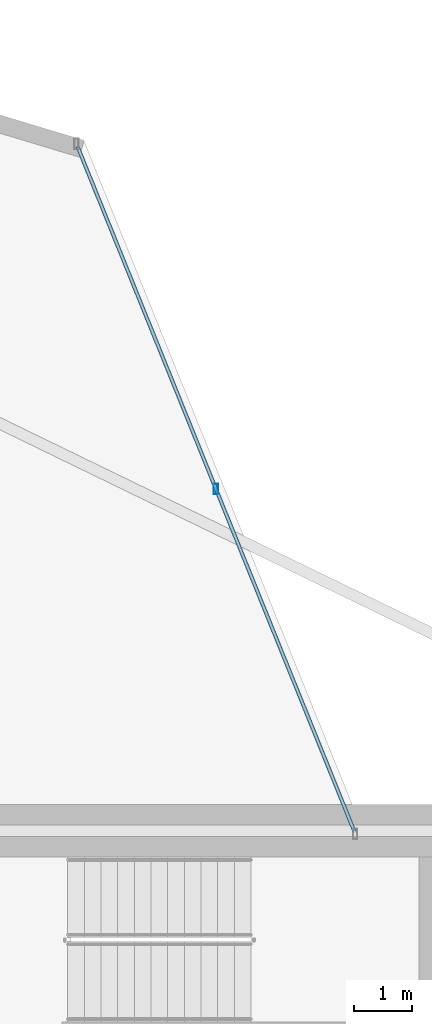
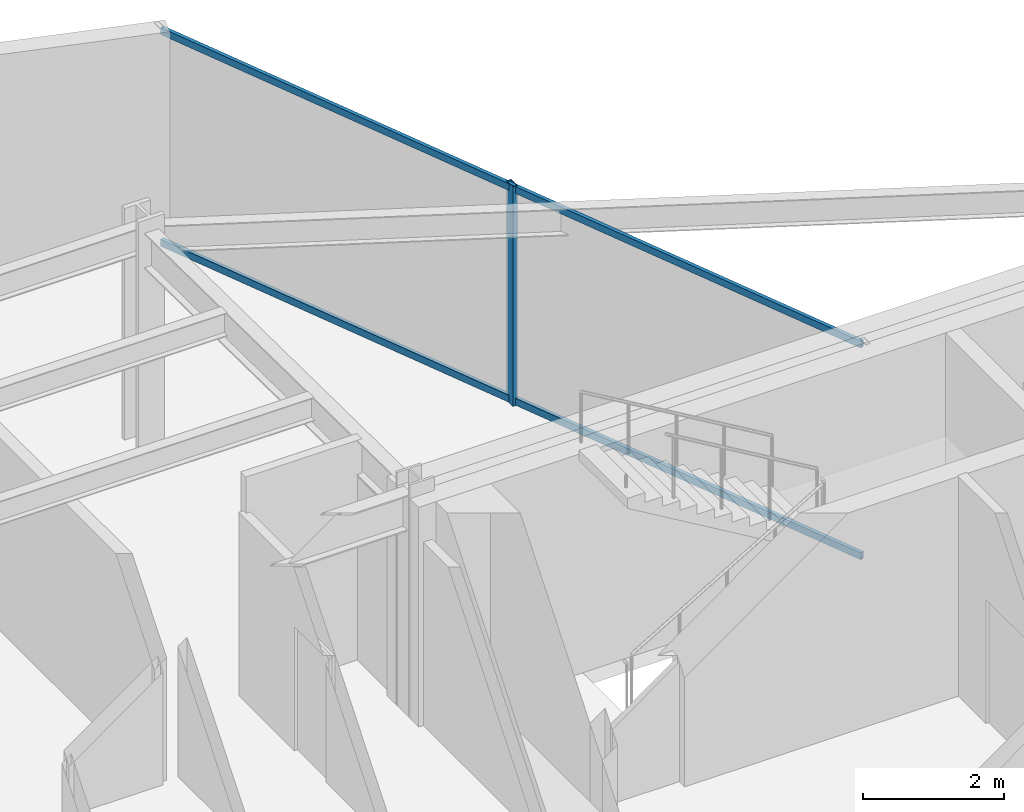
# One storey, part 21 of 29: 3 members, 1 element without a shape of its own.
"""IFC4 building model written with IfcOpenShell, lengths in metres."""

from ifc_helpers import new_model, si_unit, direction, frame, origin, origin_2d, place, context, subcontext, project, spatial, hollow_rectangle, extrude, material, layer, layer_set, material_profile, profile_set, type_object, element, aggregate, save


model = new_model("IFC4")

# Units and contexts
model_context = context("Model", 3, precision=1e-05, world=origin(), true_north=direction((0.0, 1.0)))
body_context = subcontext(model_context, "Body", "Model", "MODEL_VIEW")
ifc_project = project(units=[si_unit("LENGTHUNIT", "METRE"), si_unit("AREAUNIT", "SQUARE_METRE"), si_unit("VOLUMEUNIT", "CUBIC_METRE"), si_unit("PLANEANGLEUNIT", "RADIAN"), si_unit("MASSUNIT", "GRAM", prefix="KILO")], contexts=[model_context])

# Site, building, storey
site_placement = place(None, origin())
site = spatial("IfcSite", under=ifc_project, at=site_placement, CompositionType="ELEMENT")
building_placement = place(site_placement, origin())
building = spatial("IfcBuilding", under=site, at=building_placement, Name="Veymaron Broadcast Tower", CompositionType="ELEMENT")
storey_placement = place(building_placement, frame((0.0, 0.0, 62.10009765625)))
storey = spatial("IfcBuildingStorey", under=building, at=storey_placement, Name="L13", CompositionType="ELEMENT", Elevation=62.10009765625)

# Curtain wall, members
ifc_material_1 = material(Name="Anodised aluminium AA 6063-T6 and laminated low-E dark glass", Category="aluminium")
ifc_layer = layer(ifc_material_1, 0.179931640625)
ifc_layer_set = layer_set([ifc_layer], Name="Anodised aluminium AA 6063-T6 and laminated low-E dark glass")
curtain_wall_type = type_object("IfcCurtainWallType", Name="CW-SYS-02", PredefinedType="NOTDEFINED", material=ifc_layer_set)
curtain_wall_placement = place(storey_placement, origin())
curtain_wall = element("IfcCurtainWall", 1, at=curtain_wall_placement, inside=storey, type_object=curtain_wall_type, Name="L13 dark-glass curtain wall CW-L13-E5-1", PredefinedType="NOTDEFINED")
ifc_material_2 = material(Name="Anodised aluminium AA 6063-T6", Category="aluminium")
ifc_material_profile_1 = material_profile(ifc_material_2, hollow_rectangle(XDim=0.074951171875, YDim=0.179931640625, WallThickness=0.0048828125, at=origin_2d()), Name="AL180X75X5")
ifc_profile_set_1 = profile_set([ifc_material_profile_1], Name="Anodised aluminium AA 6063-T6")
member_type_1 = type_object("IfcMemberType", Name="CW-MUL-02", PredefinedType="MULLION", material=ifc_profile_set_1)
member_1_placement = place(storey_placement, frame((43.963623046875, 37.844482421875, 0.0), z_axis=(0.0, 0.0, 1.0), x_axis=(1.0, 0.0, 0.0)))
member_1 = element("IfcMember", 2, at=member_1_placement, type_object=member_type_1, Name="CW-L13-E5-1 mullion 1", PredefinedType="MULLION", context=body_context, shape_type="SweptSolid", body=[
    extrude(hollow_rectangle(XDim=0.074951171875, YDim=0.179931640625, WallThickness=0.0048828125, at=origin_2d()), origin(), (0.0, 0.0, 1.0), 3.809814453125),
])
ifc_material_profile_2 = material_profile(ifc_material_2, hollow_rectangle(XDim=0.06005859375, YDim=0.1201171875, WallThickness=0.00390625, at=origin_2d()), Name="AL120X60X4")
ifc_profile_set_2 = profile_set([ifc_material_profile_2], Name="Anodised aluminium AA 6063-T6")
member_type_2 = type_object("IfcMemberType", Name="CW-TRN-02", PredefinedType="USERDEFINED", material=ifc_profile_set_2)
member_2_placement = place(storey_placement, frame((46.328125, 31.993896484375, 0.06982421875), z_axis=(-0.374703561178, 0.927144671149, 0.0), x_axis=(-0.927144671149, -0.374703561178, 0.0)))
member_2 = element("IfcMember", 3, at=member_2_placement, type_object=member_type_2, Name="CW-L13-E5-1 transom B", ObjectType="TRANSOM", PredefinedType="USERDEFINED", context=body_context, shape_type="SweptSolid", body=[
    extrude(hollow_rectangle(XDim=0.06005859375, YDim=0.1201171875, WallThickness=0.00390625, at=origin_2d()), origin(), (0.0, 0.0, 1.0), 12.62060546875),
])
member_3_placement = place(storey_placement, frame((46.328125, 31.993896484375, 3.739990234375), z_axis=(-0.374703561178, 0.927144671149, 0.0), x_axis=(-0.927144671149, -0.374703561178, 0.0)))
member_3 = element("IfcMember", 4, at=member_3_placement, type_object=member_type_2, Name="CW-L13-E5-1 transom T", ObjectType="TRANSOM", PredefinedType="USERDEFINED", context=body_context, shape_type="SweptSolid", body=[
    extrude(hollow_rectangle(XDim=0.06005859375, YDim=0.1201171875, WallThickness=0.00390625, at=origin_2d()), origin(), (0.0, 0.0, 1.0), 12.62060546875),
])
aggregate(curtain_wall, [member_1, member_2, member_3])

save(model, "model.ifc")
